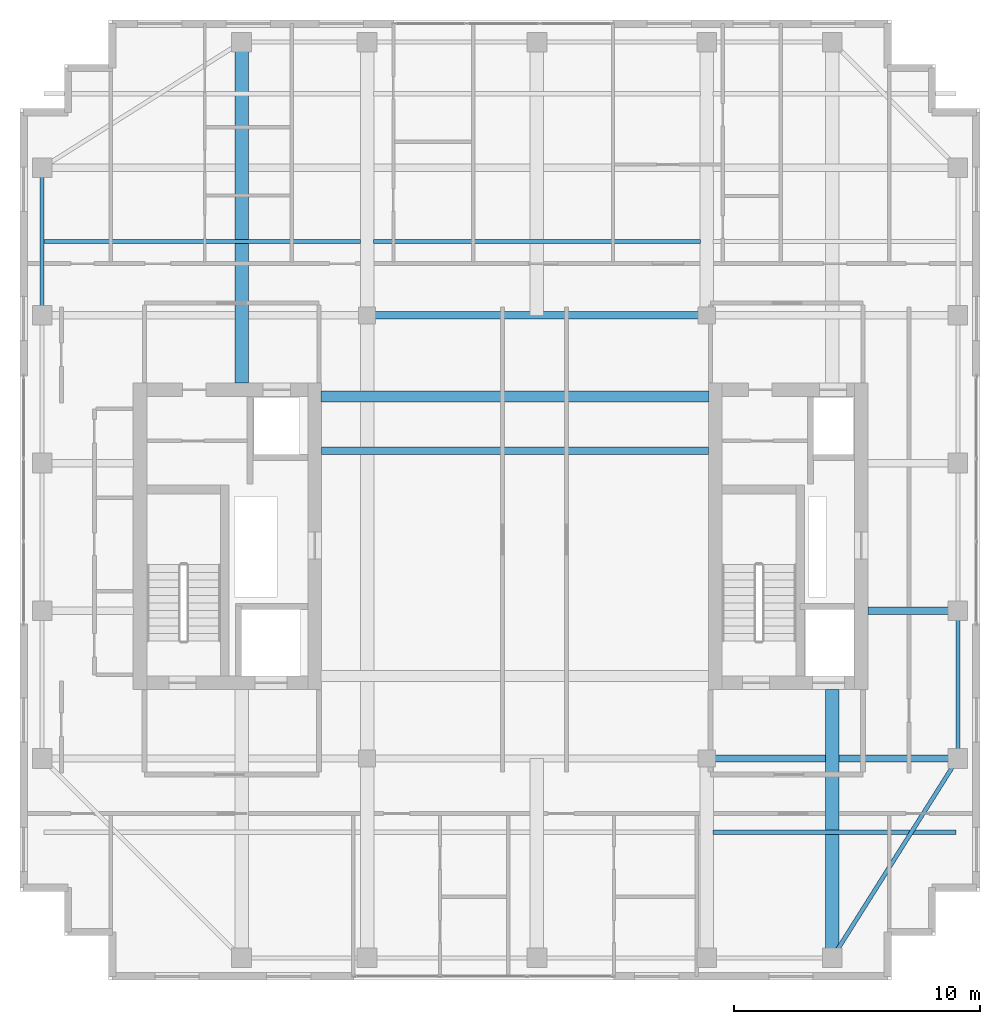
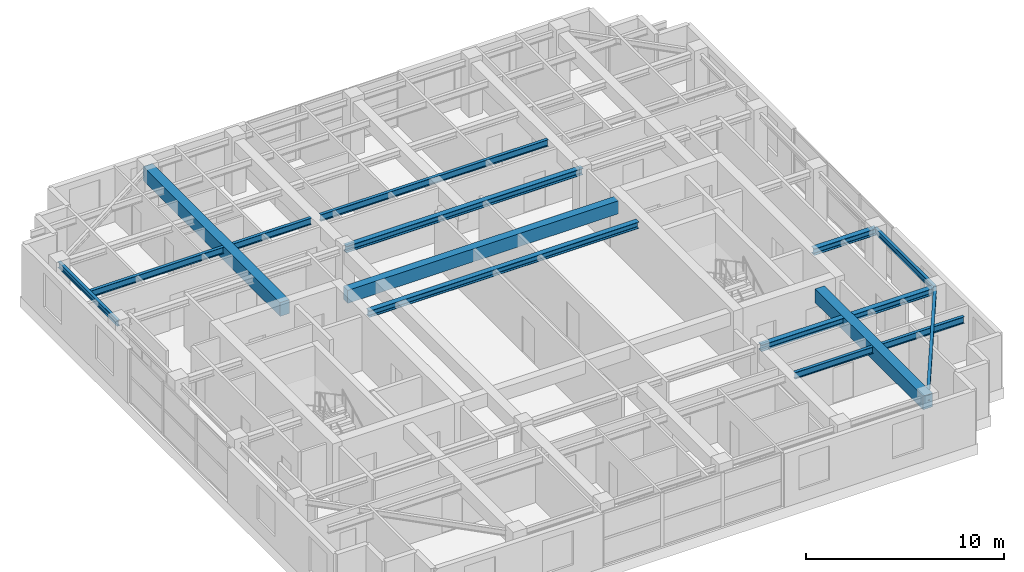
# One storey, part 9 of 21: 13 beams.
"""IFC4 building model written with IfcOpenShell, lengths in metres."""

from ifc_helpers import new_model, si_unit, direction, frame, origin, origin_2d, place, context, subcontext, project, spatial, rectangle, i_section, extrude, source, transform, mapped, material, material_profile, profile_set, type_object, element, save


model = new_model("IFC4")

# Units and contexts
model_context = context("Model", 3, precision=1e-05, world=origin(), true_north=direction((0.0, 1.0)))
body_context = subcontext(model_context, "Body", "Model", "MODEL_VIEW")
ifc_project = project(units=[si_unit("LENGTHUNIT", "METRE"), si_unit("AREAUNIT", "SQUARE_METRE"), si_unit("VOLUMEUNIT", "CUBIC_METRE"), si_unit("PLANEANGLEUNIT", "RADIAN"), si_unit("MASSUNIT", "GRAM", prefix="KILO")], contexts=[model_context])

# Site, building, storey
site_placement = place(None, origin())
site = spatial("IfcSite", under=ifc_project, at=site_placement, CompositionType="ELEMENT")
building_placement = place(site_placement, origin())
building = spatial("IfcBuilding", under=site, at=building_placement, Name="Khoralis Quay Care Tower", CompositionType="ELEMENT")
storey_placement = place(building_placement, frame((0.0, 0.0, 267.300048828125)))
storey = spatial("IfcBuildingStorey", under=building, at=storey_placement, Name="L70", CompositionType="ELEMENT", Elevation=267.300048828125)

# Beams
ifc_material_1 = material(Name="Concrete C50/60", Category="concrete")
ifc_material_profile_1 = material_profile(ifc_material_1, rectangle(XDim=0.449951171875, YDim=0.800048828125, at=origin_2d()), Name="Concrete C50/60")
ifc_profile_set_1 = profile_set([ifc_material_profile_1], Name="Concrete C50/60")
beam_type_1 = type_object("IfcBeamType", Name="CB-RC450X800", PredefinedType="LINTEL", material=ifc_profile_set_1)
shared_shape_1 = source(origin(), body_context, "Body", "SweptSolid", [
    extrude(rectangle(XDim=0.449951171875, YDim=0.800048828125, at=origin_2d()), origin(), (0.0, 0.0, 1.0), 15.780029296875),
])
beam_1_placement = place(storey_placement, frame((15.219970703125, 26.699951171875, 2.919921875), z_axis=(1.0, 0.0, 0.0), x_axis=(0.0, 1.0, 0.0)))
element("IfcBeam", 1, at=beam_1_placement, inside=storey, type_object=beam_type_1, Name="L70 North Core Coupling Lintel", PredefinedType="LINTEL", context=body_context, shape_type="MappedRepresentation", body=[
    mapped(shared_shape_1, transform((0.0, 0.0, 0.0), scale=1.0)),
])
ifc_material_2 = material(Name="Steel S355", Category="steel")
ifc_material_profile_2 = material_profile(ifc_material_2, i_section(OverallWidth=0.169921875, OverallDepth=0.360107421875, WebThickness=0.008056640625, FlangeThickness=0.0126953125, FilletRadius=0.01806640625, at=origin_2d()), Name="Steel S355")
ifc_profile_set_2 = profile_set([ifc_material_profile_2], Name="Steel S355")
beam_type_2 = type_object("IfcBeamType", Name="BM-IPE360", PredefinedType="SPANDREL", material=ifc_profile_set_2)
shared_shape_2 = source(origin(), body_context, "Body", "SweptSolid", [
    extrude(i_section(OverallWidth=0.169921875, OverallDepth=0.360107421875, WebThickness=0.008056640625, FlangeThickness=0.0126953125, FilletRadius=0.01806640625, at=origin_2d()), origin(), (0.0, 0.0, 1.0), 6.0),
])
for number, where, z_axis, x_axis, name in (
    (2, (3.89990234375, 30.0, 3.139892578125), (0.0, 1.0, 0.0), (-1.0, 0.0, 0.0), "BM-TSP-L70-12"),
    (3, (41.10009765625, 12.0, 3.139892578125), (0.0, 1.0, 0.0), (-1.0, 0.0, 0.0), "BM-TSP-L70-13"),
):
    element("IfcBeam", number, at=place(storey_placement, frame(where, z_axis=z_axis, x_axis=x_axis)), inside=storey, type_object=beam_type_2, Name=name, PredefinedType="SPANDREL", context=body_context, shape_type="MappedRepresentation", body=[
        mapped(shared_shape_2, transform((0.0, 0.0, 0.0), scale=1.0)),
    ])
shared_shape_3 = source(origin(), body_context, "Body", "SweptSolid", [
    extrude(i_section(OverallWidth=0.169921875, OverallDepth=0.360107421875, WebThickness=0.008056640625, FlangeThickness=0.0126953125, FilletRadius=0.01806640625, at=origin_2d()), origin(), (0.0, 0.0, 1.0), 9.572021484375),
])
beam_2_placement = place(storey_placement, frame((36.0, 3.89990234375, 3.139892578125), z_axis=(0.532815975602, 0.846231136359, 0.0), x_axis=(-0.846231136359, 0.532815975602, 0.0)))
element("IfcBeam", 4, at=beam_2_placement, inside=storey, type_object=beam_type_2, Name="BM-TCR-L70-18", PredefinedType="SPANDREL", context=body_context, shape_type="MappedRepresentation", body=[
    mapped(shared_shape_3, transform((0.0, 0.0, 0.0), scale=1.0)),
])
ifc_material_profile_3 = material_profile(ifc_material_2, i_section(OverallWidth=0.300048828125, OverallDepth=0.39990234375, WebThickness=0.013427734375, FlangeThickness=0.02392578125, FilletRadius=0.027099609375, at=origin_2d()), Name="Steel S355")
ifc_profile_set_3 = profile_set([ifc_material_profile_3], Name="Steel S355")
beam_type_3 = type_object("IfcBeamType", Name="BM-HEB400", PredefinedType="BEAM", material=ifc_profile_set_3)
shared_shape_4 = source(origin(), body_context, "Body", "SweptSolid", [
    extrude(i_section(OverallWidth=0.300048828125, OverallDepth=0.39990234375, WebThickness=0.013427734375, FlangeThickness=0.02392578125, FilletRadius=0.027099609375, at=origin_2d()), origin(), (0.0, 0.0, 1.0), 10.2001953125),
])
beam_3_placement = place(storey_placement, frame((30.89990234375, 12.0, 3.119873046875), z_axis=(1.0, 0.0, 0.0), x_axis=(0.0, 1.0, 0.0)))
element("IfcBeam", 5, at=beam_3_placement, inside=storey, type_object=beam_type_3, Name="BM-TGXE-L70-120", PredefinedType="BEAM", context=body_context, shape_type="MappedRepresentation", body=[
    mapped(shared_shape_4, transform((0.0, 0.0, 0.0), scale=1.0)),
])
shared_shape_5 = source(origin(), body_context, "Body", "SweptSolid", [
    extrude(i_section(OverallWidth=0.300048828125, OverallDepth=0.39990234375, WebThickness=0.013427734375, FlangeThickness=0.02392578125, FilletRadius=0.027099609375, at=origin_2d()), origin(), (0.0, 0.0, 1.0), 3.652099609375),
])
beam_4_placement = place(storey_placement, frame((37.447998046875, 18.0, 3.119873046875), z_axis=(1.0, 0.0, 0.0), x_axis=(0.0, 1.0, 0.0)))
element("IfcBeam", 6, at=beam_4_placement, inside=storey, type_object=beam_type_3, Name="BM-TGXE-L70-180", PredefinedType="BEAM", context=body_context, shape_type="MappedRepresentation", body=[
    mapped(shared_shape_5, transform((0.0, 0.0, 0.0), scale=1.0)),
])
ifc_material_profile_4 = material_profile(ifc_material_1, rectangle(XDim=0.550048828125, YDim=0.85009765625, at=origin_2d()), Name="Concrete C50/60")
ifc_profile_set_4 = profile_set([ifc_material_profile_4], Name="Concrete C50/60")
beam_type_4 = type_object("IfcBeamType", Name="BM-RC550X850", PredefinedType="BEAM", material=ifc_profile_set_4)
shared_shape_6 = source(origin(), body_context, "Body", "SweptSolid", [
    extrude(rectangle(XDim=0.550048828125, YDim=0.85009765625, at=origin_2d()), origin(), (0.0, 0.0, 1.0), 10.902099609375),
])
beam_5_placement = place(storey_placement, frame((36.0, 3.89990234375, 2.89501953125), z_axis=(0.0, 1.0, 0.0), x_axis=(-1.0, 0.0, 0.0)))
element("IfcBeam", 7, at=beam_5_placement, inside=storey, type_object=beam_type_4, Name="BM-TGYS-L70-360", PredefinedType="BEAM", context=body_context, shape_type="MappedRepresentation", body=[
    mapped(shared_shape_6, transform((0.0, 0.0, 0.0), scale=1.0)),
])
shared_shape_7 = source(origin(), body_context, "Body", "SweptSolid", [
    extrude(rectangle(XDim=0.550048828125, YDim=0.85009765625, at=origin_2d()), origin(), (0.0, 0.0, 1.0), 13.85205078125),
])
beam_6_placement = place(storey_placement, frame((12.0, 27.248046875, 2.89501953125), z_axis=(0.0, 1.0, 0.0), x_axis=(-1.0, 0.0, 0.0)))
element("IfcBeam", 8, at=beam_6_placement, inside=storey, type_object=beam_type_4, Name="BM-TGYN-L70-120", PredefinedType="BEAM", context=body_context, shape_type="MappedRepresentation", body=[
    mapped(shared_shape_7, transform((0.0, 0.0, 0.0), scale=1.0)),
])
ifc_material_profile_5 = material_profile(ifc_material_2, i_section(OverallWidth=0.177978515625, OverallDepth=0.406982421875, WebThickness=0.0078125, FlangeThickness=0.0126953125, FilletRadius=0.012939453125, at=origin_2d()), Name="Steel S355")
ifc_profile_set_5 = profile_set([ifc_material_profile_5], Name="Steel S355")
beam_type_5 = type_object("IfcBeamType", Name="BM-W410X60", PredefinedType="JOIST", material=ifc_profile_set_5)
shared_shape_8 = source(origin(), body_context, "Body", "SweptSolid", [
    extrude(i_section(OverallWidth=0.177978515625, OverallDepth=0.406982421875, WebThickness=0.0078125, FlangeThickness=0.0126953125, FilletRadius=0.012939453125, at=origin_2d()), origin(), (0.0, 0.0, 1.0), 12.865966796875),
])
beam_7_placement = place(storey_placement, frame((3.970947265625, 33.0, 3.116455078125), z_axis=(1.0, 0.0, 0.0), x_axis=(0.0, 1.0, 0.0)))
element("IfcBeam", 9, at=beam_7_placement, inside=storey, type_object=beam_type_5, Name="BM-TJS-L70-24", PredefinedType="JOIST", context=body_context, shape_type="MappedRepresentation", body=[
    mapped(shared_shape_8, transform((0.0, 0.0, 0.0), scale=1.0)),
])
shared_shape_9 = source(origin(), body_context, "Body", "SweptSolid", [
    extrude(i_section(OverallWidth=0.177978515625, OverallDepth=0.406982421875, WebThickness=0.0078125, FlangeThickness=0.0126953125, FilletRadius=0.012939453125, at=origin_2d()), origin(), (0.0, 0.0, 1.0), 9.865966796875),
])
beam_8_placement = place(storey_placement, frame((31.1630859375, 9.0, 3.116455078125), z_axis=(1.0, 0.0, 0.0), x_axis=(0.0, 1.0, 0.0)))
element("IfcBeam", 10, at=beam_8_placement, inside=storey, type_object=beam_type_5, Name="BM-TJS-L70-22", PredefinedType="JOIST", context=body_context, shape_type="MappedRepresentation", body=[
    mapped(shared_shape_9, transform((0.0, 0.0, 0.0), scale=1.0)),
])
shared_shape_10 = source(origin(), body_context, "Body", "SweptSolid", [
    extrude(i_section(OverallWidth=0.300048828125, OverallDepth=0.39990234375, WebThickness=0.013427734375, FlangeThickness=0.02392578125, FilletRadius=0.027099609375, at=origin_2d()), origin(), (0.0, 0.0, 1.0), 13.7998046875),
])
beam_9_placement = place(storey_placement, frame((17.10009765625, 30.0, 3.119873046875), z_axis=(1.0, 0.0, 0.0), x_axis=(0.0, 1.0, 0.0)))
element("IfcBeam", 11, at=beam_9_placement, inside=storey, type_object=beam_type_3, Name="BM-TGCC-L70-300", PredefinedType="BEAM", context=body_context, shape_type="MappedRepresentation", body=[
    mapped(shared_shape_10, transform((0.0, 0.0, 0.0), scale=1.0)),
])
shared_shape_11 = source(origin(), body_context, "Body", "SweptSolid", [
    extrude(i_section(OverallWidth=0.300048828125, OverallDepth=0.39990234375, WebThickness=0.013427734375, FlangeThickness=0.02392578125, FilletRadius=0.027099609375, at=origin_2d()), origin(), (0.0, 0.0, 1.0), 15.723876953125),
])
beam_10_placement = place(storey_placement, frame((15.248046875, 24.5, 3.119873046875), z_axis=(1.0, 0.0, 0.0), x_axis=(0.0, 1.0, 0.0)))
element("IfcBeam", 12, at=beam_10_placement, inside=storey, type_object=beam_type_3, Name="BM-TGCC-L70-245", PredefinedType="BEAM", context=body_context, shape_type="MappedRepresentation", body=[
    mapped(shared_shape_11, transform((0.0, 0.0, 0.0), scale=1.0)),
])
shared_shape_12 = source(origin(), body_context, "Body", "SweptSolid", [
    extrude(i_section(OverallWidth=0.177978515625, OverallDepth=0.406982421875, WebThickness=0.0078125, FlangeThickness=0.0126953125, FilletRadius=0.012939453125, at=origin_2d()), origin(), (0.0, 0.0, 1.0), 13.27392578125),
])
beam_11_placement = place(storey_placement, frame((17.363037109375, 33.0, 3.116455078125), z_axis=(1.0, 0.0, 0.0), x_axis=(0.0, 1.0, 0.0)))
element("IfcBeam", 13, at=beam_11_placement, inside=storey, type_object=beam_type_5, Name="BM-TJS-L70-26", PredefinedType="JOIST", context=body_context, shape_type="MappedRepresentation", body=[
    mapped(shared_shape_12, transform((0.0, 0.0, 0.0), scale=1.0)),
])

save(model, "model.ifc")
